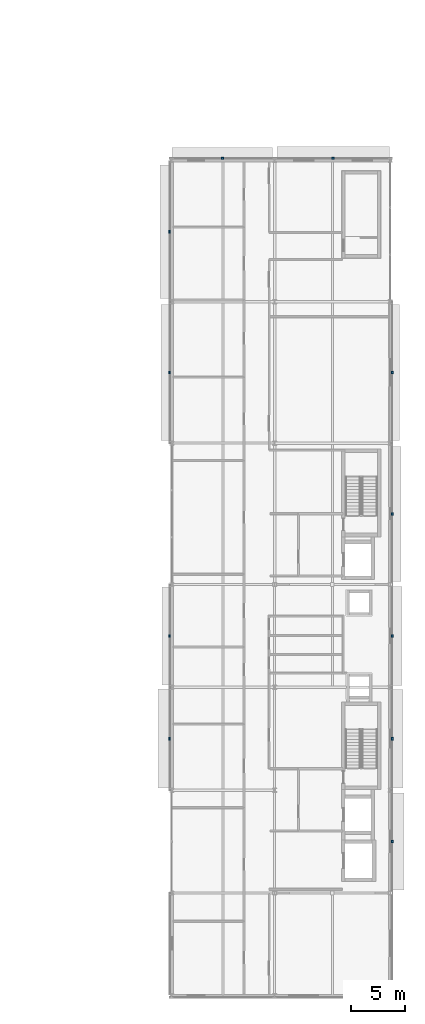
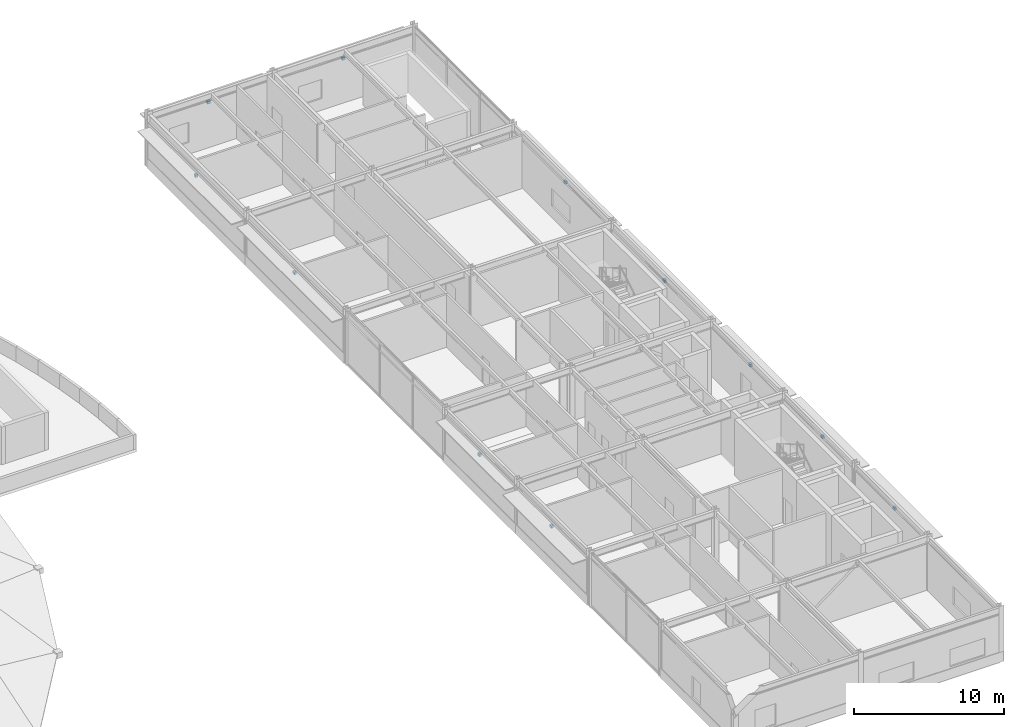
# One storey, part 42 of 50: 11 discrete accessories.
"""IFC4 building model written with IfcOpenShell, lengths in metres."""

from ifc_helpers import new_model, si_unit, direction, frame, origin, origin_2d, place, context, subcontext, project, spatial, rectangle, extrude, material, layer, layer_set, type_object, element, save


model = new_model("IFC4")

# Units and contexts
model_context = context("Model", 3, precision=1e-05, world=origin(), true_north=direction((0.0, 1.0)))
body_context = subcontext(model_context, "Body", "Model", "MODEL_VIEW")
ifc_project = project(units=[si_unit("LENGTHUNIT", "METRE"), si_unit("AREAUNIT", "SQUARE_METRE"), si_unit("VOLUMEUNIT", "CUBIC_METRE"), si_unit("PLANEANGLEUNIT", "RADIAN"), si_unit("MASSUNIT", "GRAM", prefix="KILO")], contexts=[model_context])

# Site, building, storey
site_placement = place(None, origin())
site = spatial("IfcSite", under=ifc_project, at=site_placement, CompositionType="ELEMENT")
building_placement = place(site_placement, origin())
building = spatial("IfcBuilding", under=site, at=building_placement, Name="Almandine Court Research Institute", CompositionType="ELEMENT")
storey_placement = place(building_placement, frame((0.0, 0.0, 23.449951171875)))
storey = spatial("IfcBuildingStorey", under=building, at=storey_placement, Name="L05", CompositionType="ELEMENT", Elevation=23.449951171875)

# Discrete accessories
ifc_material = material(Name="Galvanised Steel Facade Outrigger Bracket", Category="steel")
ifc_layer = layer(ifc_material, 0.219970703125)
ifc_layer_set = layer_set([ifc_layer], Name="Galvanised Steel Facade Outrigger Bracket")
discrete_accessory_type = type_object("IfcDiscreteAccessoryType", Name="Acc-CHJ-BRACKET", PredefinedType="BRACKET", material=ifc_layer_set)
for number, where, z_axis, x_axis, name in (
    (1, (153.39501953125, 30.0, 3.47802734375), (0.0, 0.0, 1.0), (0.0, 1.0, 0.0), "L05 Chhajja Outrigger Bracket 128"),
    (2, (153.39501953125, 39.60009765625, 3.47802734375), (0.0, 0.0, 1.0), (0.0, 1.0, 0.0), "L05 Chhajja Outrigger Bracket 129"),
    (3, (153.39501953125, 64.199951171875, 3.3271484375), (0.0, 0.0, 1.0), (0.0, 1.0, 0.0), "L05 Chhajja Outrigger Bracket 130"),
    (4, (153.39501953125, 77.327880859375, 3.26513671875), (0.0, 0.0, 1.0), (0.0, 1.0, 0.0), "L05 Chhajja Outrigger Bracket 131"),
    (5, (158.325927734375, 84.205078125, 3.3330078125), (0.0, 0.0, 1.0), (1.0, 0.0, 0.0), "L05 Chhajja Outrigger Bracket 132"),
    (6, (168.675048828125, 84.205078125, 3.2568359375), (0.0, 0.0, 1.0), (1.0, 0.0, 0.0), "L05 Chhajja Outrigger Bracket 133"),
    (7, (174.205078125, 64.199951171875, 3.40087890625), (0.0, 0.0, 1.0), (0.0, -1.0, 0.0), "L05 Chhajja Outrigger Bracket 134"),
    (8, (174.205078125, 51.0, 3.40087890625), (0.0, 0.0, 1.0), (0.0, -1.0, 0.0), "L05 Chhajja Outrigger Bracket 135"),
    (9, (174.205078125, 39.60009765625, 3.46923828125), (0.0, 0.0, 1.0), (0.0, -1.0, 0.0), "L05 Chhajja Outrigger Bracket 136"),
    (10, (174.205078125, 30.0, 3.46923828125), (0.0, 0.0, 1.0), (0.0, -1.0, 0.0), "L05 Chhajja Outrigger Bracket 137"),
    (11, (174.205078125, 20.39990234375, 3.46923828125), (0.0, 0.0, 1.0), (0.0, -1.0, 0.0), "L05 Chhajja Outrigger Bracket 138"),
):
    element("IfcDiscreteAccessory", number, at=place(storey_placement, frame(where, z_axis=z_axis, x_axis=x_axis)), inside=storey, type_object=discrete_accessory_type, Name=name, PredefinedType="BRACKET", context=body_context, shape_type="SweptSolid", body=[
        extrude(rectangle(XDim=0.239990234375, YDim=0.179931640625, at=origin_2d()), origin(), (0.0, 0.0, 1.0), 0.219970703125),
    ])

save(model, "model.ifc")
